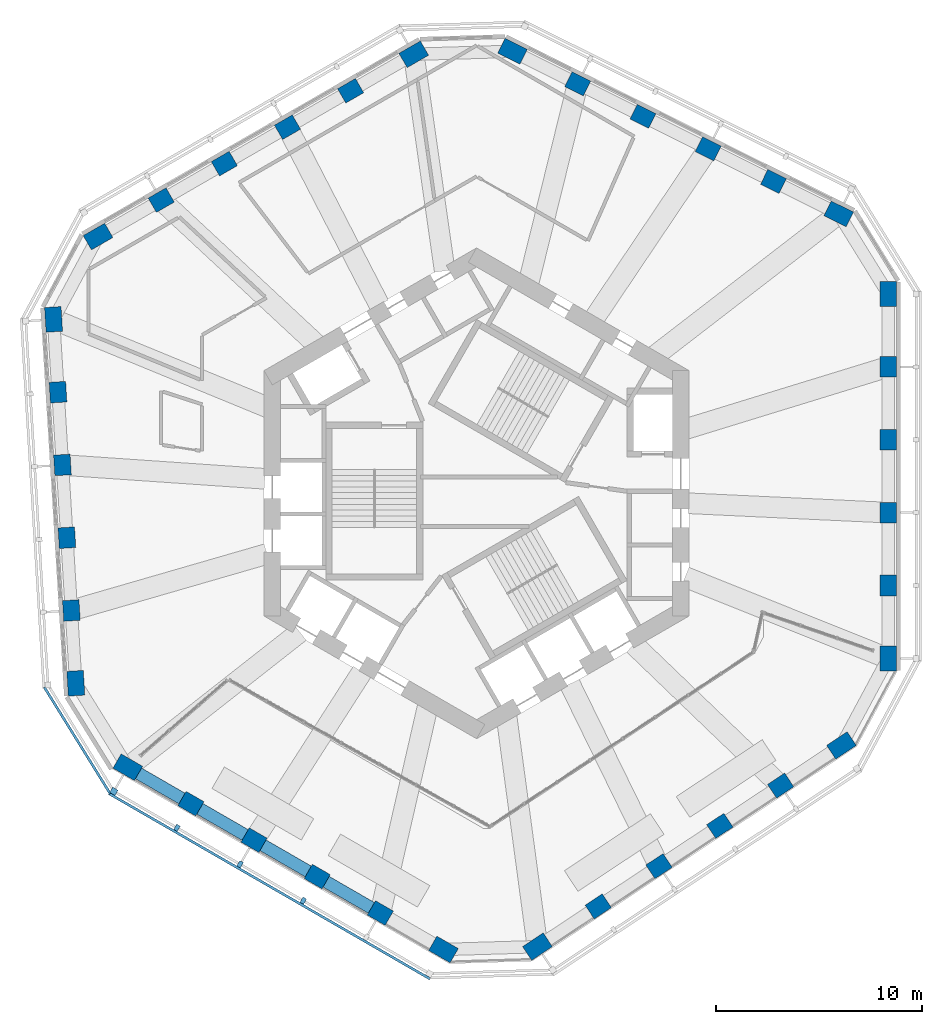
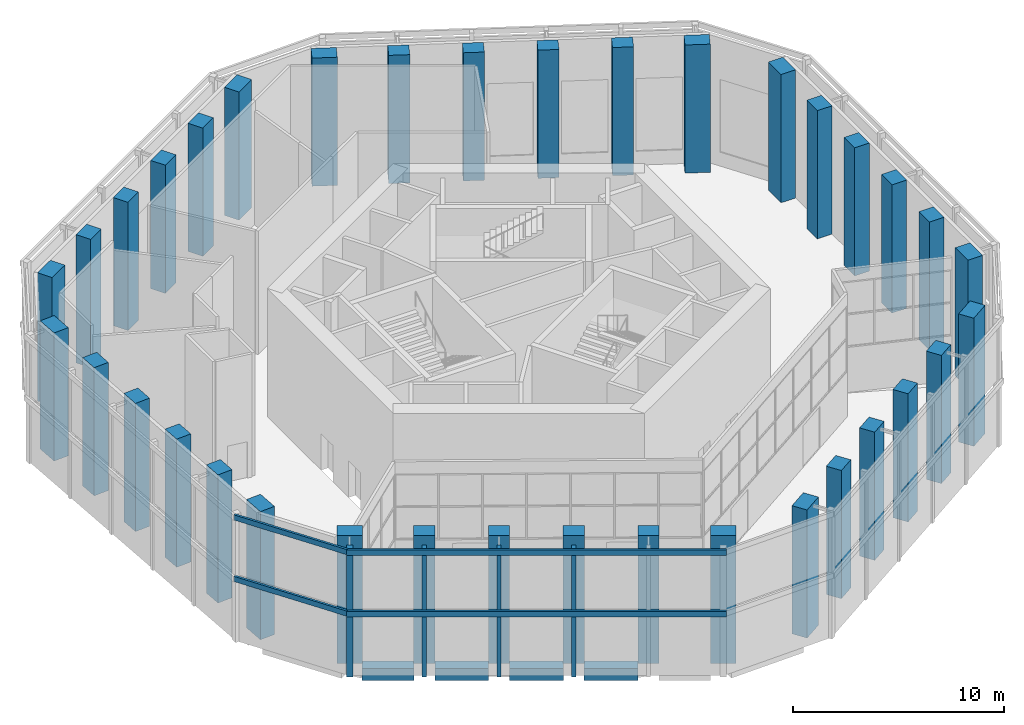
# One storey, part 1 of 17: 36 columns, 8 members, 4 beams, 2 elements without a shape of their own.
"""IFC4 building model written with IfcOpenShell, lengths in metres."""

from ifc_helpers import new_model, si_unit, direction, frame, origin, origin_2d, place, context, subcontext, project, spatial, rectangle, extrude, material, material_profile, profile_set, type_object, element, aggregate, save


model = new_model("IFC4")

# Units and contexts
model_context = context("Model", 3, precision=1e-05, world=origin(), true_north=direction((0.0, 1.0)))
body_context = subcontext(model_context, "Body", "Model", "MODEL_VIEW")
ifc_project = project(units=[si_unit("LENGTHUNIT", "METRE"), si_unit("AREAUNIT", "SQUARE_METRE"), si_unit("VOLUMEUNIT", "CUBIC_METRE"), si_unit("PLANEANGLEUNIT", "RADIAN"), si_unit("MASSUNIT", "GRAM", prefix="KILO")], contexts=[model_context])

# Site, building, storey
site_placement = place(None, origin())
site = spatial("IfcSite", under=ifc_project, at=site_placement, CompositionType="ELEMENT")
building_placement = place(site_placement, origin())
building = spatial("IfcBuilding", under=site, at=building_placement, Name="Vanh Sen Convention Tower", CompositionType="ELEMENT")
storey_placement = place(building_placement, frame((0.0, 0.0, 214.300048828125)))
storey = spatial("IfcBuildingStorey", under=building, at=storey_placement, Name="L53", CompositionType="ELEMENT", Elevation=214.300048828125)

# Columns
ifc_material_1 = material(Name="Concrete C60/75", Category="concrete")
ifc_material_profile_1 = material_profile(ifc_material_1, rectangle(XDim=1.0, YDim=0.800048828125, at=origin_2d()), Name="RC 1000X800")
ifc_profile_set_1 = profile_set([ifc_material_profile_1], Name="Concrete C60/75")
column_type_1 = type_object("IfcColumnType", Name="Facade column 1000 x 800 C60/75", PredefinedType="COLUMN", material=ifc_profile_set_1)
for number, where, z_axis, x_axis, name in (
    (1, (19.949951171875, -4.46923828125, 0.0), (0.0, 0.0, 1.0), (0.0, 1.0, 0.0), "Facade column 02 L53"),
    (2, (19.949951171875, -0.935546875, 0.0), (0.0, 0.0, 1.0), (0.0, 1.0, 0.0), "Facade column 03 L53"),
    (3, (19.949951171875, 2.59814453125, 0.0), (0.0, 0.0, 1.0), (0.0, 1.0, 0.0), "Facade column 04 L53"),
    (4, (19.949951171875, 6.131591796875, 0.0), (0.0, 0.0, 1.0), (0.0, 1.0, 0.0), "Facade column 05 L53"),
    (5, (14.38916015625, 15.117919921875, 0.0), (0.0, 0.0, 1.0), (-0.894934361602, 0.44619781311, 0.0), "Facade column 08 L53"),
    (6, (11.226806640625, 16.694580078125, 0.0), (0.0, 0.0, 1.0), (-0.894934361602, 0.44619781311, 0.0), "Facade column 09 L53"),
    (7, (8.064453125, 18.271484375, 0.0), (0.0, 0.0, 1.0), (-0.894934361602, 0.44619781311, 0.0), "Facade column 10 L53"),
    (8, (4.902099609375, 19.84814453125, 0.0), (0.0, 0.0, 1.0), (-0.894934361602, 0.44619781311, 0.0), "Facade column 11 L53"),
    (9, (-6.1044921875, 19.51171875, 0.0), (0.0, 0.0, 1.0), (-0.866025403784, -0.5, 0.0), "Facade column 14 L53"),
    (10, (-9.164794921875, 17.7451171875, 0.0), (0.0, 0.0, 1.0), (-0.866025403784, -0.5, 0.0), "Facade column 15 L53"),
    (11, (-12.22509765625, 15.978271484375, 0.0), (0.0, 0.0, 1.0), (-0.866025403784, -0.5, 0.0), "Facade column 16 L53"),
    (12, (-15.28515625, 14.211181640625, 0.0), (0.0, 0.0, 1.0), (-0.866025403784, -0.5, 0.0), "Facade column 17 L53"),
    (13, (-20.287109375, 4.90234375, 0.0), (0.0, 0.0, 1.0), (0.061048539535, -0.998134798422, 0.0), "Facade column 20 L53"),
    (14, (-20.0712890625, 1.375244140625, 0.0), (0.0, 0.0, 1.0), (0.061048539535, -0.998134798422, 0.0), "Facade column 21 L53"),
    (15, (-19.855712890625, -2.151611328125, 0.0), (0.0, 0.0, 1.0), (0.061048539535, -0.998134798422, 0.0), "Facade column 22 L53"),
    (16, (-19.639892578125, -5.6787109375, 0.0), (0.0, 0.0, 1.0), (0.061048539535, -0.998134798422, 0.0), "Facade column 23 L53"),
    (17, (-13.845458984375, -15.04248046875, 0.0), (0.0, 0.0, 1.0), (0.866025403784, -0.5, 0.0), "Facade column 26 L53"),
    (18, (-10.78515625, -16.809326171875, 0.0), (0.0, 0.0, 1.0), (0.866025403784, -0.5, 0.0), "Facade column 27 L53"),
    (19, (-7.72509765625, -18.576416015625, 0.0), (0.0, 0.0, 1.0), (0.866025403784, -0.5, 0.0), "Facade column 28 L53"),
    (20, (-4.664794921875, -20.343017578125, 0.0), (0.0, 0.0, 1.0), (0.866025403784, -0.5, 0.0), "Facade column 29 L53"),
    (21, (5.89794921875, -20.0205078125, 0.0), (0.0, 0.0, 1.0), (0.833885822067, 0.551936985312, 0.0), "Facade column 32 L53"),
    (22, (8.844482421875, -18.070068359375, 0.0), (0.0, 0.0, 1.0), (0.833885822067, 0.551936985312, 0.0), "Facade column 33 L53"),
    (23, (11.791259765625, -16.11962890625, 0.0), (0.0, 0.0, 1.0), (0.833885822067, 0.551936985312, 0.0), "Facade column 34 L53"),
    (24, (14.73779296875, -14.169189453125, 0.0), (0.0, 0.0, 1.0), (0.833885822067, 0.551936985312, 0.0), "Facade column 35 L53"),
):
    element("IfcColumn", number, at=place(storey_placement, frame(where, z_axis=z_axis, x_axis=x_axis)), inside=storey, type_object=column_type_1, Name=name, PredefinedType="COLUMN", context=body_context, shape_type="SweptSolid", body=[
        extrude(rectangle(XDim=1.0, YDim=0.800048828125, at=origin_2d()), origin(), (0.0, 0.0, 1.0), 7.39990234375),
    ])
ifc_material_profile_2 = material_profile(ifc_material_1, rectangle(XDim=1.199951171875, YDim=0.800048828125, at=origin_2d()), Name="RC 1200X800")
ifc_profile_set_2 = profile_set([ifc_material_profile_2], Name="Concrete C60/75")
column_type_2 = type_object("IfcColumnType", Name="Facade corner column 1200 x 800 C60/75", PredefinedType="COLUMN", material=ifc_profile_set_2)
for number, where, z_axis, x_axis, name in (
    (25, (19.949951171875, -8.002685546875, 0.0), (0.0, 0.0, 1.0), (0.0, 1.0, 0.0), "Facade column 01 L53"),
    (26, (19.949951171875, 9.665283203125, 0.0), (0.0, 0.0, 1.0), (0.0, 1.0, 0.0), "Facade column 06 L53"),
    (27, (17.551513671875, 13.541259765625, 0.0), (0.0, 0.0, 1.0), (-0.894934361602, 0.44619781311, 0.0), "Facade column 07 L53"),
    (28, (1.73974609375, 21.4248046875, 0.0), (0.0, 0.0, 1.0), (-0.894934361602, 0.44619781311, 0.0), "Facade column 12 L53"),
    (29, (-3.04443359375, 21.278564453125, 0.0), (0.0, 0.0, 1.0), (-0.866025403784, -0.5, 0.0), "Facade column 13 L53"),
    (30, (-18.345458984375, 12.444580078125, 0.0), (0.0, 0.0, 1.0), (-0.866025403784, -0.5, 0.0), "Facade column 18 L53"),
    (31, (-20.502685546875, 8.429443359375, 0.0), (0.0, 0.0, 1.0), (0.061048539535, -0.998134798422, 0.0), "Facade column 19 L53"),
    (32, (-19.42431640625, -9.205810546875, 0.0), (0.0, 0.0, 1.0), (0.061048539535, -0.998134798422, 0.0), "Facade column 24 L53"),
    (33, (-16.905517578125, -13.27587890625, 0.0), (0.0, 0.0, 1.0), (0.866025403784, -0.5, 0.0), "Facade column 25 L53"),
    (34, (-1.6044921875, -22.10986328125, 0.0), (0.0, 0.0, 1.0), (0.866025403784, -0.5, 0.0), "Facade column 30 L53"),
    (35, (2.951416015625, -21.970703125, 0.0), (0.0, 0.0, 1.0), (0.833885822067, 0.551936985312, 0.0), "Facade column 31 L53"),
    (36, (17.6845703125, -12.218994140625, 0.0), (0.0, 0.0, 1.0), (0.833885822067, 0.551936985312, 0.0), "Facade column 36 L53"),
):
    element("IfcColumn", number, at=place(storey_placement, frame(where, z_axis=z_axis, x_axis=x_axis)), inside=storey, type_object=column_type_2, Name=name, PredefinedType="COLUMN", context=body_context, shape_type="SweptSolid", body=[
        extrude(rectangle(XDim=1.199951171875, YDim=0.800048828125, at=origin_2d()), origin(), (0.0, 0.0, 1.0), 7.39990234375),
    ])

# Curtain wall, members
ifc_material_2 = material(Name="Concrete C50/60", Category="concrete")
curtain_wall_type = type_object("IfcCurtainWallType", Name="Outer skin office zone", PredefinedType="NOTDEFINED", material=ifc_material_2)
curtain_wall_1_placement = place(storey_placement, origin())
curtain_wall_1 = element("IfcCurtainWall", 37, at=curtain_wall_1_placement, inside=storey, type_object=curtain_wall_type, Name="OUTER SKIN SW L53", PredefinedType="NOTDEFINED")
ifc_material_profile_3 = material_profile(ifc_material_2, rectangle(XDim=0.300048828125, YDim=0.300048828125, at=origin_2d()), Name="Outer skin precast corner fin 300 x 300")
ifc_profile_set_3 = profile_set([ifc_material_profile_3], Name="Concrete C50/60")
member_type_1 = type_object("IfcMemberType", Name="Outer skin precast corner fin 300 x 300", PredefinedType="MULLION", material=ifc_profile_set_3)
member_1_placement = place(storey_placement, frame((-17.58056640625, -14.44482421875, 0.0), z_axis=(0.0, 0.0, 1.0), x_axis=(0.866025403784, -0.5, 0.0)))
member_1 = element("IfcMember", 38, at=member_1_placement, type_object=member_type_1, Name="OUTER SKIN CORNER FIN 1 SW L53", PredefinedType="MULLION", context=body_context, shape_type="SweptSolid", body=[
    extrude(rectangle(XDim=0.300048828125, YDim=0.300048828125, at=origin_2d()), origin(), (0.0, 0.0, 1.0), 7.39990234375),
])
ifc_material_profile_4 = material_profile(ifc_material_2, rectangle(XDim=0.199951171875, YDim=0.300048828125, at=origin_2d()), Name="Outer skin precast fin 200 x 300")
ifc_profile_set_4 = profile_set([ifc_material_profile_4], Name="Concrete C50/60")
member_type_2 = type_object("IfcMemberType", Name="Outer skin precast fin 200 x 300", PredefinedType="MULLION", material=ifc_profile_set_4)
member_2_placement = place(storey_placement, frame((-14.5205078125, -16.211669921875, 0.0), z_axis=(0.0, 0.0, 1.0), x_axis=(0.866025403784, -0.5, 0.0)))
member_2 = element("IfcMember", 39, at=member_2_placement, type_object=member_type_2, Name="OUTER SKIN fin 2 SW L53", PredefinedType="MULLION", context=body_context, shape_type="SweptSolid", body=[
    extrude(rectangle(XDim=0.199951171875, YDim=0.300048828125, at=origin_2d()), origin(), (0.0, 0.0, 1.0), 7.39990234375),
])
member_3_placement = place(storey_placement, frame((-11.460205078125, -17.978515625, 0.0), z_axis=(0.0, 0.0, 1.0), x_axis=(0.866025403784, -0.5, 0.0)))
member_3 = element("IfcMember", 40, at=member_3_placement, type_object=member_type_2, Name="OUTER SKIN fin 3 SW L53", PredefinedType="MULLION", context=body_context, shape_type="SweptSolid", body=[
    extrude(rectangle(XDim=0.199951171875, YDim=0.300048828125, at=origin_2d()), origin(), (0.0, 0.0, 1.0), 7.39990234375),
])
member_4_placement = place(storey_placement, frame((-8.39990234375, -19.745361328125, 0.0), z_axis=(0.0, 0.0, 1.0), x_axis=(0.866025403784, -0.5, 0.0)))
member_4 = element("IfcMember", 41, at=member_4_placement, type_object=member_type_2, Name="OUTER SKIN fin 4 SW L53", PredefinedType="MULLION", context=body_context, shape_type="SweptSolid", body=[
    extrude(rectangle(XDim=0.199951171875, YDim=0.300048828125, at=origin_2d()), origin(), (0.0, 0.0, 1.0), 7.39990234375),
])

curtain_wall_2_placement = place(storey_placement, origin())
curtain_wall_2 = element("IfcCurtainWall", 42, at=curtain_wall_2_placement, inside=storey, type_object=curtain_wall_type, Name="OUTER SKIN CH4 L53", PredefinedType="NOTDEFINED")
ifc_material_profile_5 = material_profile(ifc_material_2, rectangle(XDim=0.1201171875, YDim=0.300048828125, at=origin_2d()), Name="Outer skin precast spandrel band 300 x 120")
ifc_profile_set_5 = profile_set([ifc_material_profile_5], Name="Concrete C50/60")
member_type_3 = type_object("IfcMemberType", Name="Outer skin precast spandrel band 300 x 120", PredefinedType="USERDEFINED", material=ifc_profile_set_5)
member_5_placement = place(storey_placement, frame((-20.9501953125, -9.398681640625, 7.25), z_axis=(0.526193830542, -0.850364658661, 0.0), x_axis=(0.850364658661, 0.526193830542, 0.0)))
member_5 = element("IfcMember", 43, at=member_5_placement, type_object=member_type_3, Name="OUTER SKIN spandrel band CH4 L53", ObjectType="TRANSOM", PredefinedType="USERDEFINED", context=body_context, shape_type="SweptSolid", body=[
    extrude(rectangle(XDim=0.1201171875, YDim=0.300048828125, at=origin_2d()), origin(), (0.0, 0.0, 1.0), 6.064208984375),
])
member_6_placement = place(storey_placement, frame((-20.9501953125, -9.398681640625, 3.699951171875), z_axis=(0.526193830542, -0.850364658661, 0.0), x_axis=(0.850364658661, 0.526193830542, 0.0)))
member_6 = element("IfcMember", 44, at=member_6_placement, type_object=member_type_3, Name="OUTER SKIN spandrel band CH4 L53 mid", ObjectType="TRANSOM", PredefinedType="USERDEFINED", context=body_context, shape_type="SweptSolid", body=[
    extrude(rectangle(XDim=0.1201171875, YDim=0.300048828125, at=origin_2d()), origin(), (0.0, 0.0, 1.0), 6.064208984375),
])
aggregate(curtain_wall_2, [member_5, member_6])

# Member
member_7_placement = place(storey_placement, frame((-17.8154296875, -14.5517578125, 7.25), z_axis=(0.866022898019, -0.500004340088, 0.0), x_axis=(0.500004340088, 0.866022898019, 0.0)))
member_7 = element("IfcMember", 45, at=member_7_placement, type_object=member_type_3, Name="OUTER SKIN spandrel band SW L53", ObjectType="TRANSOM", PredefinedType="USERDEFINED", context=body_context, shape_type="SweptSolid", body=[
    extrude(rectangle(XDim=0.1201171875, YDim=0.300048828125, at=origin_2d()), origin(), (0.0, 0.0, 1.0), 17.968017578125),
])

member_8_placement = place(storey_placement, frame((-17.8154296875, -14.5517578125, 3.699951171875), z_axis=(0.866022898019, -0.500004340088, 0.0), x_axis=(0.500004340088, 0.866022898019, 0.0)))
member_8 = element("IfcMember", 46, at=member_8_placement, type_object=member_type_3, Name="OUTER SKIN spandrel band SW L53 mid", ObjectType="TRANSOM", PredefinedType="USERDEFINED", context=body_context, shape_type="SweptSolid", body=[
    extrude(rectangle(XDim=0.1201171875, YDim=0.300048828125, at=origin_2d()), origin(), (0.0, 0.0, 1.0), 17.968017578125),
])

aggregate(curtain_wall_1, [member_1, member_2, member_3, member_4, member_7, member_8])

# Beams
ifc_material_3 = material(Name="Concrete C50/60", Category="concrete")
ifc_material_profile_6 = material_profile(ifc_material_3, rectangle(XDim=0.60009765625, YDim=0.699951171875, at=origin_2d()), Name="RC 600X700")
ifc_profile_set_6 = profile_set([ifc_material_profile_6], Name="Concrete C50/60")
beam_type = type_object("IfcBeamType", Name="Spandrel beam 600 x 700", PredefinedType="SPANDREL", material=ifc_profile_set_6)
beam_1_placement = place(storey_placement, frame((-16.390380859375, -13.5732421875, -0.699951171875), z_axis=(0.866002566612, -0.500039553057, 0.0), x_axis=(0.500039553057, 0.866002566612, 0.0)))
element("IfcBeam", 47, at=beam_1_placement, inside=storey, type_object=beam_type, Name="Spandrel beam 25 L53", PredefinedType="SPANDREL", context=body_context, shape_type="SweptSolid", body=[
    extrude(rectangle(XDim=0.60009765625, YDim=0.699951171875, at=origin_2d()), origin(), (0.0, 0.0, 1.0), 2.443603515625),
])
beam_2_placement = place(storey_placement, frame((-13.416748046875, -15.2900390625, -0.699951171875), z_axis=(0.866001775466, -0.500040923216, 0.0), x_axis=(0.500040923216, 0.866001775466, 0.0)))
element("IfcBeam", 48, at=beam_2_placement, inside=storey, type_object=beam_type, Name="Spandrel beam 26 L53", PredefinedType="SPANDREL", context=body_context, shape_type="SweptSolid", body=[
    extrude(rectangle(XDim=0.60009765625, YDim=0.699951171875, at=origin_2d()), origin(), (0.0, 0.0, 1.0), 2.543701171875),
])
beam_3_placement = place(storey_placement, frame((-10.3564453125, -17.056884765625, -0.699951171875), z_axis=(0.865977774259, -0.500082487685, 0.0), x_axis=(0.500082487685, 0.865977774259, 0.0)))
element("IfcBeam", 49, at=beam_3_placement, inside=storey, type_object=beam_type, Name="Spandrel beam 27 L53", PredefinedType="SPANDREL", context=body_context, shape_type="SweptSolid", body=[
    extrude(rectangle(XDim=0.60009765625, YDim=0.699951171875, at=origin_2d()), origin(), (0.0, 0.0, 1.0), 2.54345703125),
])
beam_4_placement = place(storey_placement, frame((-7.29638671875, -18.82373046875, -0.699951171875), z_axis=(0.866001775466, -0.500040923216, 0.0), x_axis=(0.500040923216, 0.866001775466, 0.0)))
element("IfcBeam", 50, at=beam_4_placement, inside=storey, type_object=beam_type, Name="Spandrel beam 28 L53", PredefinedType="SPANDREL", context=body_context, shape_type="SweptSolid", body=[
    extrude(rectangle(XDim=0.60009765625, YDim=0.699951171875, at=origin_2d()), origin(), (0.0, 0.0, 1.0), 2.543701171875),
])

save(model, "model.ifc")
